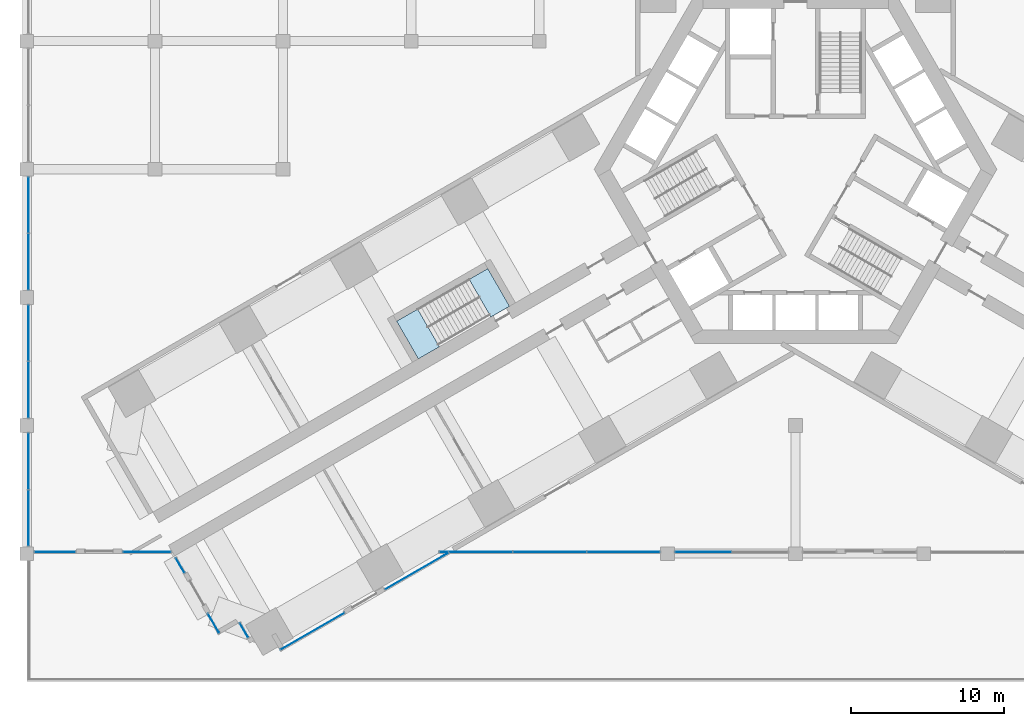
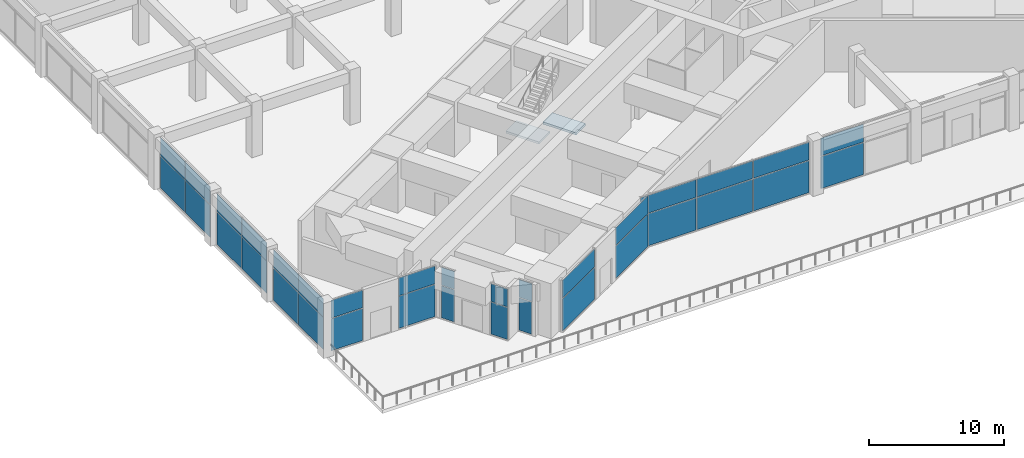
# One storey, part 22 of 34: 34 plates, 2 slabs, 13 elements without a shape of their own.
"""IFC4 building model written with IfcOpenShell, lengths in metres."""

from ifc_helpers import new_model, si_unit, direction, frame, origin, origin_2d, place, context, subcontext, project, spatial, polyline, rectangle, outline, extrude, material, layer, layer_set, type_object, element, aggregate, save


model = new_model("IFC4")

# Units and contexts
model_context = context("Model", 3, precision=1e-05, world=origin(), true_north=direction((0.0, 1.0)))
body_context = subcontext(model_context, "Body", "Model", "MODEL_VIEW")
ifc_project = project(units=[si_unit("LENGTHUNIT", "METRE"), si_unit("AREAUNIT", "SQUARE_METRE"), si_unit("VOLUMEUNIT", "CUBIC_METRE"), si_unit("PLANEANGLEUNIT", "RADIAN"), si_unit("MASSUNIT", "GRAM", prefix="KILO")], contexts=[model_context])

# Site, building, storey
site_placement = place(None, origin())
site = spatial("IfcSite", under=ifc_project, at=site_placement, CompositionType="ELEMENT")
building_placement = place(site_placement, origin())
building = spatial("IfcBuilding", under=site, at=building_placement, Name="Impinga Residences", CompositionType="ELEMENT")
storey_placement = place(building_placement, frame((0.0, 0.0, 11.0)))
storey = spatial("IfcBuildingStorey", under=building, at=storey_placement, Name="L02", CompositionType="ELEMENT", Elevation=11.0)

# Curtain wall, plates
ifc_material_1 = material(Name="Aluminium stick curtain wall", Category="aluminium")
curtain_wall_type = type_object("IfcCurtainWallType", Name="CW1 podium amenity curtain wall", PredefinedType="USERDEFINED", material=ifc_material_1)
curtain_wall_1_placement = place(storey_placement, origin())
curtain_wall_1 = element("IfcCurtainWall", 1, at=curtain_wall_1_placement, inside=storey, type_object=curtain_wall_type, Name="Curtain wall CW1 L02", ObjectType="STICK CURTAIN WALL", PredefinedType="USERDEFINED")
ifc_material_2 = material(Name="Clear double glazing", Category="glass")
ifc_layer_1 = layer(ifc_material_2, 0.028076171875)
ifc_layer_set_1 = layer_set([ifc_layer_1], Name="CW1-P clear double glazed panel 28")
plate_type = type_object("IfcPlateType", Name="CW1-P clear double glazed panel 28", PredefinedType="CURTAIN_PANEL", material=ifc_layer_set_1)
plate_1_placement = place(storey_placement, frame((-36.160888671875, -30.23046875, 0.06005859375), z_axis=(0.0, 0.0, 1.0), x_axis=(-0.499999813995, 0.866025511175, 0.0)))
plate_1 = element("IfcPlate", 2, at=plate_1_placement, type_object=plate_type, Name="CW1 panel 1.1", PredefinedType="CURTAIN_PANEL", context=body_context, shape_type="SweptSolid", body=[
    extrude(rectangle(XDim=1.080078125, YDim=0.028076171875, at=origin_2d()), origin(), (0.0, 0.0, 1.0), 2.909912109375),
])
plate_2_placement = place(storey_placement, frame((-36.160888671875, -30.23046875, 3.02978515625), z_axis=(0.0, 0.0, 1.0), x_axis=(-0.499999813995, 0.866025511175, 0.0)))
plate_2 = element("IfcPlate", 3, at=plate_2_placement, type_object=plate_type, Name="CW1 panel 1.2", PredefinedType="CURTAIN_PANEL", context=body_context, shape_type="SweptSolid", body=[
    extrude(rectangle(XDim=1.080078125, YDim=0.028076171875, at=origin_2d()), origin(), (0.0, 0.0, 1.0), 1.610107421875),
])
aggregate(curtain_wall_1, [plate_1, plate_2])

curtain_wall_2_placement = place(storey_placement, origin())
curtain_wall_2 = element("IfcCurtainWall", 4, at=curtain_wall_2_placement, inside=storey, type_object=curtain_wall_type, Name="Curtain wall CW1 L02", ObjectType="STICK CURTAIN WALL", PredefinedType="USERDEFINED")
plate_3_placement = place(storey_placement, frame((-38.151611328125, -29.78271484375, 0.06005859375), z_axis=(0.0, 0.0, 1.0), x_axis=(-0.499999723955, 0.866025563159, 0.0)))
plate_3 = element("IfcPlate", 5, at=plate_3_placement, type_object=plate_type, Name="CW1 panel 1.1", PredefinedType="CURTAIN_PANEL", context=body_context, shape_type="SweptSolid", body=[
    extrude(rectangle(XDim=1.4462890625, YDim=0.028076171875, at=origin_2d()), origin(), (0.0, 0.0, 1.0), 2.909912109375),
])
plate_4_placement = place(storey_placement, frame((-38.151611328125, -29.78271484375, 3.02978515625), z_axis=(0.0, 0.0, 1.0), x_axis=(-0.499999723955, 0.866025563159, 0.0)))
plate_4 = element("IfcPlate", 6, at=plate_4_placement, type_object=plate_type, Name="CW1 panel 1.2", PredefinedType="CURTAIN_PANEL", context=body_context, shape_type="SweptSolid", body=[
    extrude(rectangle(XDim=1.4462890625, YDim=0.028076171875, at=origin_2d()), origin(), (0.0, 0.0, 1.0), 1.610107421875),
])
aggregate(curtain_wall_2, [plate_3, plate_4])

curtain_wall_3_placement = place(storey_placement, origin())
curtain_wall_3 = element("IfcCurtainWall", 7, at=curtain_wall_3_placement, inside=storey, type_object=curtain_wall_type, Name="Curtain wall CW1 L02", ObjectType="STICK CURTAIN WALL", PredefinedType="USERDEFINED")
plate_5_placement = place(storey_placement, frame((-40.34814453125, -25.978271484375, 0.06005859375), z_axis=(0.0, 0.0, 1.0), x_axis=(-0.500000310039, 0.866025224783, 0.0)))
plate_5 = element("IfcPlate", 8, at=plate_5_placement, type_object=plate_type, Name="CW1 panel 1.1", PredefinedType="CURTAIN_PANEL", context=body_context, shape_type="SweptSolid", body=[
    extrude(rectangle(XDim=1.099853515625, YDim=0.028076171875, at=origin_2d()), origin(), (0.0, 0.0, 1.0), 2.909912109375),
])
plate_6_placement = place(storey_placement, frame((-40.34814453125, -25.978271484375, 3.02978515625), z_axis=(0.0, 0.0, 1.0), x_axis=(-0.500000310039, 0.866025224783, 0.0)))
plate_6 = element("IfcPlate", 9, at=plate_6_placement, type_object=plate_type, Name="CW1 panel 1.2", PredefinedType="CURTAIN_PANEL", context=body_context, shape_type="SweptSolid", body=[
    extrude(rectangle(XDim=1.099853515625, YDim=0.028076171875, at=origin_2d()), origin(), (0.0, 0.0, 1.0), 1.610107421875),
])
aggregate(curtain_wall_3, [plate_5, plate_6])

curtain_wall_4_placement = place(storey_placement, origin())
curtain_wall_4 = element("IfcCurtainWall", 10, at=curtain_wall_4_placement, inside=storey, type_object=curtain_wall_type, Name="Curtain wall CW1 L02", ObjectType="STICK CURTAIN WALL", PredefinedType="USERDEFINED")
plate_7_placement = place(storey_placement, frame((-42.53466796875, -25.10009765625, 0.06005859375), z_axis=(0.0, 0.0, 1.0), x_axis=(-1.0, 0.0, 0.0)))
plate_7 = element("IfcPlate", 11, at=plate_7_placement, type_object=plate_type, Name="CW1 panel 1.1", PredefinedType="CURTAIN_PANEL", context=body_context, shape_type="SweptSolid", body=[
    extrude(rectangle(XDim=3.12353515625, YDim=0.028076171875, at=origin_2d()), origin(), (0.0, 0.0, 1.0), 2.909912109375),
])
plate_8_placement = place(storey_placement, frame((-42.53466796875, -25.10009765625, 3.02978515625), z_axis=(0.0, 0.0, 1.0), x_axis=(-1.0, 0.0, 0.0)))
plate_8 = element("IfcPlate", 12, at=plate_8_placement, type_object=plate_type, Name="CW1 panel 1.2", PredefinedType="CURTAIN_PANEL", context=body_context, shape_type="SweptSolid", body=[
    extrude(rectangle(XDim=3.12353515625, YDim=0.028076171875, at=origin_2d()), origin(), (0.0, 0.0, 1.0), 1.610107421875),
])
aggregate(curtain_wall_4, [plate_7, plate_8])

curtain_wall_5_placement = place(storey_placement, origin())
curtain_wall_5 = element("IfcCurtainWall", 13, at=curtain_wall_5_placement, inside=storey, type_object=curtain_wall_type, Name="Curtain wall CW1 L02", ObjectType="STICK CURTAIN WALL", PredefinedType="USERDEFINED")
plate_9_placement = place(storey_placement, frame((-48.5517578125, -25.10009765625, 0.06005859375), z_axis=(0.0, 0.0, 1.0), x_axis=(-1.0, 0.0, 0.0)))
plate_9 = element("IfcPlate", 14, at=plate_9_placement, type_object=plate_type, Name="CW1 panel 1.1", PredefinedType="CURTAIN_PANEL", context=body_context, shape_type="SweptSolid", body=[
    extrude(rectangle(XDim=2.670654296875, YDim=0.028076171875, at=origin_2d()), origin(), (0.0, 0.0, 1.0), 2.909912109375),
])
plate_10_placement = place(storey_placement, frame((-48.5517578125, -25.10009765625, 3.02978515625), z_axis=(0.0, 0.0, 1.0), x_axis=(-1.0, 0.0, 0.0)))
plate_10 = element("IfcPlate", 15, at=plate_10_placement, type_object=plate_type, Name="CW1 panel 1.2", PredefinedType="CURTAIN_PANEL", context=body_context, shape_type="SweptSolid", body=[
    extrude(rectangle(XDim=2.670654296875, YDim=0.028076171875, at=origin_2d()), origin(), (0.0, 0.0, 1.0), 1.610107421875),
])
aggregate(curtain_wall_5, [plate_9, plate_10])

curtain_wall_6_placement = place(storey_placement, origin())
curtain_wall_6 = element("IfcCurtainWall", 16, at=curtain_wall_6_placement, inside=storey, type_object=curtain_wall_type, Name="Curtain wall CW1 L02", ObjectType="STICK CURTAIN WALL", PredefinedType="USERDEFINED")
plate_11_placement = place(storey_placement, frame((-50.300048828125, -22.8583984375, 0.06005859375), z_axis=(0.0, 0.0, 1.0), x_axis=(0.0, 1.0, 0.0)))
plate_11 = element("IfcPlate", 17, at=plate_11_placement, type_object=plate_type, Name="CW1 panel 1.1", PredefinedType="CURTAIN_PANEL", context=body_context, shape_type="SweptSolid", body=[
    extrude(rectangle(XDim=3.656982421875, YDim=0.028076171875, at=origin_2d()), origin(), (0.0, 0.0, 1.0), 2.909912109375),
])
plate_12_placement = place(storey_placement, frame((-50.300048828125, -22.8583984375, 3.02978515625), z_axis=(0.0, 0.0, 1.0), x_axis=(0.0, 1.0, 0.0)))
plate_12 = element("IfcPlate", 18, at=plate_12_placement, type_object=plate_type, Name="CW1 panel 1.2", PredefinedType="CURTAIN_PANEL", context=body_context, shape_type="SweptSolid", body=[
    extrude(rectangle(XDim=3.656982421875, YDim=0.028076171875, at=origin_2d()), origin(), (0.0, 0.0, 1.0), 1.610107421875),
])
plate_13_placement = place(storey_placement, frame((-50.300048828125, -19.1416015625, 0.06005859375), z_axis=(0.0, 0.0, 1.0), x_axis=(0.0, 1.0, 0.0)))
plate_13 = element("IfcPlate", 19, at=plate_13_placement, type_object=plate_type, Name="CW1 panel 2.1", PredefinedType="CURTAIN_PANEL", context=body_context, shape_type="SweptSolid", body=[
    extrude(rectangle(XDim=3.656982421875, YDim=0.028076171875, at=origin_2d()), origin(), (0.0, 0.0, 1.0), 2.909912109375),
])
plate_14_placement = place(storey_placement, frame((-50.300048828125, -19.1416015625, 3.02978515625), z_axis=(0.0, 0.0, 1.0), x_axis=(0.0, 1.0, 0.0)))
plate_14 = element("IfcPlate", 20, at=plate_14_placement, type_object=plate_type, Name="CW1 panel 2.2", PredefinedType="CURTAIN_PANEL", context=body_context, shape_type="SweptSolid", body=[
    extrude(rectangle(XDim=3.656982421875, YDim=0.028076171875, at=origin_2d()), origin(), (0.0, 0.0, 1.0), 1.610107421875),
])
aggregate(curtain_wall_6, [plate_11, plate_12, plate_13, plate_14])

curtain_wall_7_placement = place(storey_placement, origin())
curtain_wall_7 = element("IfcCurtainWall", 21, at=curtain_wall_7_placement, inside=storey, type_object=curtain_wall_type, Name="Curtain wall CW1 L02", ObjectType="STICK CURTAIN WALL", PredefinedType="USERDEFINED")
plate_15_placement = place(storey_placement, frame((-50.300048828125, -14.45849609375, 0.06005859375), z_axis=(0.0, 0.0, 1.0), x_axis=(0.0, 1.0, 0.0)))
plate_15 = element("IfcPlate", 22, at=plate_15_placement, type_object=plate_type, Name="CW1 panel 1.1", PredefinedType="CURTAIN_PANEL", context=body_context, shape_type="SweptSolid", body=[
    extrude(rectangle(XDim=3.656982421875, YDim=0.028076171875, at=origin_2d()), origin(), (0.0, 0.0, 1.0), 2.909912109375),
])
plate_16_placement = place(storey_placement, frame((-50.300048828125, -14.45849609375, 3.02978515625), z_axis=(0.0, 0.0, 1.0), x_axis=(0.0, 1.0, 0.0)))
plate_16 = element("IfcPlate", 23, at=plate_16_placement, type_object=plate_type, Name="CW1 panel 1.2", PredefinedType="CURTAIN_PANEL", context=body_context, shape_type="SweptSolid", body=[
    extrude(rectangle(XDim=3.656982421875, YDim=0.028076171875, at=origin_2d()), origin(), (0.0, 0.0, 1.0), 1.610107421875),
])
plate_17_placement = place(storey_placement, frame((-50.300048828125, -10.741455078125, 0.06005859375), z_axis=(0.0, 0.0, 1.0), x_axis=(0.0, 1.0, 0.0)))
plate_17 = element("IfcPlate", 24, at=plate_17_placement, type_object=plate_type, Name="CW1 panel 2.1", PredefinedType="CURTAIN_PANEL", context=body_context, shape_type="SweptSolid", body=[
    extrude(rectangle(XDim=3.656982421875, YDim=0.028076171875, at=origin_2d()), origin(), (0.0, 0.0, 1.0), 2.909912109375),
])
plate_18_placement = place(storey_placement, frame((-50.300048828125, -10.741455078125, 3.02978515625), z_axis=(0.0, 0.0, 1.0), x_axis=(0.0, 1.0, 0.0)))
plate_18 = element("IfcPlate", 25, at=plate_18_placement, type_object=plate_type, Name="CW1 panel 2.2", PredefinedType="CURTAIN_PANEL", context=body_context, shape_type="SweptSolid", body=[
    extrude(rectangle(XDim=3.656982421875, YDim=0.028076171875, at=origin_2d()), origin(), (0.0, 0.0, 1.0), 1.610107421875),
])
aggregate(curtain_wall_7, [plate_15, plate_16, plate_17, plate_18])

curtain_wall_8_placement = place(storey_placement, origin())
curtain_wall_8 = element("IfcCurtainWall", 26, at=curtain_wall_8_placement, inside=storey, type_object=curtain_wall_type, Name="Curtain wall CW1 L02", ObjectType="STICK CURTAIN WALL", PredefinedType="USERDEFINED")
plate_19_placement = place(storey_placement, frame((-50.300048828125, -6.05859375, 0.06005859375), z_axis=(0.0, 0.0, 1.0), x_axis=(0.0, 1.0, 0.0)))
plate_19 = element("IfcPlate", 27, at=plate_19_placement, type_object=plate_type, Name="CW1 panel 1.1", PredefinedType="CURTAIN_PANEL", context=body_context, shape_type="SweptSolid", body=[
    extrude(rectangle(XDim=3.656982421875, YDim=0.028076171875, at=origin_2d()), origin(), (0.0, 0.0, 1.0), 2.909912109375),
])
plate_20_placement = place(storey_placement, frame((-50.300048828125, -6.05859375, 3.02978515625), z_axis=(0.0, 0.0, 1.0), x_axis=(0.0, 1.0, 0.0)))
plate_20 = element("IfcPlate", 28, at=plate_20_placement, type_object=plate_type, Name="CW1 panel 1.2", PredefinedType="CURTAIN_PANEL", context=body_context, shape_type="SweptSolid", body=[
    extrude(rectangle(XDim=3.656982421875, YDim=0.028076171875, at=origin_2d()), origin(), (0.0, 0.0, 1.0), 1.610107421875),
])
plate_21_placement = place(storey_placement, frame((-50.300048828125, -2.341552734375, 0.06005859375), z_axis=(0.0, 0.0, 1.0), x_axis=(0.0, 1.0, 0.0)))
plate_21 = element("IfcPlate", 29, at=plate_21_placement, type_object=plate_type, Name="CW1 panel 2.1", PredefinedType="CURTAIN_PANEL", context=body_context, shape_type="SweptSolid", body=[
    extrude(rectangle(XDim=3.656982421875, YDim=0.028076171875, at=origin_2d()), origin(), (0.0, 0.0, 1.0), 2.909912109375),
])
plate_22_placement = place(storey_placement, frame((-50.300048828125, -2.341552734375, 3.02978515625), z_axis=(0.0, 0.0, 1.0), x_axis=(0.0, 1.0, 0.0)))
plate_22 = element("IfcPlate", 30, at=plate_22_placement, type_object=plate_type, Name="CW1 panel 2.2", PredefinedType="CURTAIN_PANEL", context=body_context, shape_type="SweptSolid", body=[
    extrude(rectangle(XDim=3.656982421875, YDim=0.028076171875, at=origin_2d()), origin(), (0.0, 0.0, 1.0), 1.610107421875),
])
aggregate(curtain_wall_8, [plate_19, plate_20, plate_21, plate_22])

curtain_wall_9_placement = place(storey_placement, origin())
curtain_wall_9 = element("IfcCurtainWall", 31, at=curtain_wall_9_placement, inside=storey, type_object=curtain_wall_type, Name="Curtain wall CW1 L02", ObjectType="STICK CURTAIN WALL", PredefinedType="USERDEFINED")
plate_23_placement = place(storey_placement, frame((-6.05859375, -25.10009765625, 0.06005859375), z_axis=(0.0, 0.0, 1.0), x_axis=(-1.0, 0.0, 0.0)))
plate_23 = element("IfcPlate", 32, at=plate_23_placement, type_object=plate_type, Name="CW1 panel 2.1", PredefinedType="CURTAIN_PANEL", context=body_context, shape_type="SweptSolid", body=[
    extrude(rectangle(XDim=3.656982421875, YDim=0.028076171875, at=origin_2d()), origin(), (0.0, 0.0, 1.0), 2.909912109375),
])
plate_24_placement = place(storey_placement, frame((-6.05859375, -25.10009765625, 3.02978515625), z_axis=(0.0, 0.0, 1.0), x_axis=(-1.0, 0.0, 0.0)))
plate_24 = element("IfcPlate", 33, at=plate_24_placement, type_object=plate_type, Name="CW1 panel 2.2", PredefinedType="CURTAIN_PANEL", context=body_context, shape_type="SweptSolid", body=[
    extrude(rectangle(XDim=3.656982421875, YDim=0.028076171875, at=origin_2d()), origin(), (0.0, 0.0, 1.0), 1.610107421875),
])
aggregate(curtain_wall_9, [plate_23, plate_24])

curtain_wall_10_placement = place(storey_placement, origin())
curtain_wall_10 = element("IfcCurtainWall", 34, at=curtain_wall_10_placement, inside=storey, type_object=curtain_wall_type, Name="Curtain wall CW1 L02", ObjectType="STICK CURTAIN WALL", PredefinedType="USERDEFINED")
plate_25_placement = place(storey_placement, frame((-11.29150390625, -25.10009765625, 0.06005859375), z_axis=(0.0, 0.0, 1.0), x_axis=(-1.0, 0.0, 0.0)))
plate_25 = element("IfcPlate", 35, at=plate_25_placement, type_object=plate_type, Name="CW1 panel 1.1", PredefinedType="CURTAIN_PANEL", context=body_context, shape_type="SweptSolid", body=[
    extrude(rectangle(XDim=4.757080078125, YDim=0.028076171875, at=origin_2d()), origin(), (0.0, 0.0, 1.0), 2.909912109375),
])
plate_26_placement = place(storey_placement, frame((-11.29150390625, -25.10009765625, 3.02978515625), z_axis=(0.0, 0.0, 1.0), x_axis=(-1.0, 0.0, 0.0)))
plate_26 = element("IfcPlate", 36, at=plate_26_placement, type_object=plate_type, Name="CW1 panel 1.2", PredefinedType="CURTAIN_PANEL", context=body_context, shape_type="SweptSolid", body=[
    extrude(rectangle(XDim=4.757080078125, YDim=0.028076171875, at=origin_2d()), origin(), (0.0, 0.0, 1.0), 1.610107421875),
])
plate_27_placement = place(storey_placement, frame((-16.12353515625, -25.10009765625, 0.06005859375), z_axis=(0.0, 0.0, 1.0), x_axis=(-1.0, 0.0, 0.0)))
plate_27 = element("IfcPlate", 37, at=plate_27_placement, type_object=plate_type, Name="CW1 panel 2.1", PredefinedType="CURTAIN_PANEL", context=body_context, shape_type="SweptSolid", body=[
    extrude(rectangle(XDim=4.787109375, YDim=0.028076171875, at=origin_2d()), origin(), (0.0, 0.0, 1.0), 2.909912109375),
])
plate_28_placement = place(storey_placement, frame((-16.12353515625, -25.10009765625, 3.02978515625), z_axis=(0.0, 0.0, 1.0), x_axis=(-1.0, 0.0, 0.0)))
plate_28 = element("IfcPlate", 38, at=plate_28_placement, type_object=plate_type, Name="CW1 panel 2.2", PredefinedType="CURTAIN_PANEL", context=body_context, shape_type="SweptSolid", body=[
    extrude(rectangle(XDim=4.787109375, YDim=0.028076171875, at=origin_2d()), origin(), (0.0, 0.0, 1.0), 1.610107421875),
])
plate_29_placement = place(storey_placement, frame((-20.95556640625, -25.10009765625, 0.06005859375), z_axis=(0.0, 0.0, 1.0), x_axis=(-1.0, 0.0, 0.0)))
plate_29 = element("IfcPlate", 39, at=plate_29_placement, type_object=plate_type, Name="CW1 panel 3.1", PredefinedType="CURTAIN_PANEL", context=body_context, shape_type="SweptSolid", body=[
    extrude(rectangle(XDim=4.757080078125, YDim=0.028076171875, at=origin_2d()), origin(), (0.0, 0.0, 1.0), 2.909912109375),
])
plate_30_placement = place(storey_placement, frame((-20.95556640625, -25.10009765625, 3.02978515625), z_axis=(0.0, 0.0, 1.0), x_axis=(-1.0, 0.0, 0.0)))
plate_30 = element("IfcPlate", 40, at=plate_30_placement, type_object=plate_type, Name="CW1 panel 3.2", PredefinedType="CURTAIN_PANEL", context=body_context, shape_type="SweptSolid", body=[
    extrude(rectangle(XDim=4.757080078125, YDim=0.028076171875, at=origin_2d()), origin(), (0.0, 0.0, 1.0), 1.610107421875),
])
aggregate(curtain_wall_10, [plate_25, plate_26, plate_27, plate_28, plate_29, plate_30])

curtain_wall_11_placement = place(storey_placement, origin())
curtain_wall_11 = element("IfcCurtainWall", 41, at=curtain_wall_11_placement, inside=storey, type_object=curtain_wall_type, Name="Curtain wall CW1 L02", ObjectType="STICK CURTAIN WALL", PredefinedType="USERDEFINED")
plate_31_placement = place(storey_placement, frame((-24.8232421875, -26.340576171875, 0.06005859375), z_axis=(0.0, 0.0, 1.0), x_axis=(-0.866025358764, -0.500000077978, 0.0)))
plate_31 = element("IfcPlate", 42, at=plate_31_placement, type_object=plate_type, Name="CW1 panel 1.1", PredefinedType="CURTAIN_PANEL", context=body_context, shape_type="SweptSolid", body=[
    extrude(rectangle(XDim=4.7890625, YDim=0.028076171875, at=origin_2d()), origin(), (0.0, 0.0, 1.0), 2.909912109375),
])
plate_32_placement = place(storey_placement, frame((-24.8232421875, -26.340576171875, 3.02978515625), z_axis=(0.0, 0.0, 1.0), x_axis=(-0.866025358764, -0.500000077978, 0.0)))
plate_32 = element("IfcPlate", 43, at=plate_32_placement, type_object=plate_type, Name="CW1 panel 1.2", PredefinedType="CURTAIN_PANEL", context=body_context, shape_type="SweptSolid", body=[
    extrude(rectangle(XDim=4.7890625, YDim=0.028076171875, at=origin_2d()), origin(), (0.0, 0.0, 1.0), 1.610107421875),
])
aggregate(curtain_wall_11, [plate_31, plate_32])

curtain_wall_12_placement = place(storey_placement, origin())
curtain_wall_12 = element("IfcCurtainWall", 44, at=curtain_wall_12_placement, inside=storey, type_object=curtain_wall_type, Name="Curtain wall CW1 L02", ObjectType="STICK CURTAIN WALL", PredefinedType="USERDEFINED")
plate_33_placement = place(storey_placement, frame((-31.6728515625, -30.295166015625, 0.06005859375), z_axis=(0.0, 0.0, 1.0), x_axis=(-0.866025446964, -0.499999925211, 0.0)))
plate_33 = element("IfcPlate", 45, at=plate_33_placement, type_object=plate_type, Name="CW1 panel 1.1", PredefinedType="CURTAIN_PANEL", context=body_context, shape_type="SweptSolid", body=[
    extrude(rectangle(XDim=4.7890625, YDim=0.028076171875, at=origin_2d()), origin(), (0.0, 0.0, 1.0), 2.909912109375),
])
plate_34_placement = place(storey_placement, frame((-31.6728515625, -30.295166015625, 3.02978515625), z_axis=(0.0, 0.0, 1.0), x_axis=(-0.866025446964, -0.499999925211, 0.0)))
plate_34 = element("IfcPlate", 46, at=plate_34_placement, type_object=plate_type, Name="CW1 panel 1.2", PredefinedType="CURTAIN_PANEL", context=body_context, shape_type="SweptSolid", body=[
    extrude(rectangle(XDim=4.7890625, YDim=0.028076171875, at=origin_2d()), origin(), (0.0, 0.0, 1.0), 1.610107421875),
])
aggregate(curtain_wall_12, [plate_33, plate_34])

# Stair, slabs
ifc_material_3 = material(Name="Concrete C40/50", Category="concrete")
stair_type = type_object("IfcStairType", Name="STR wing stair 5000 storey, 30 risers", PredefinedType="HALF_TURN_STAIR", material=ifc_material_3)
stair_placement = place(storey_placement, origin())
stair = element("IfcStair", 47, at=stair_placement, inside=storey, type_object=stair_type, Name="Stair WS2 L02", PredefinedType="HALF_TURN_STAIR")
ifc_layer_2 = layer(ifc_material_3, 0.199951171875)
ifc_layer_set_2 = layer_set([ifc_layer_2], Name="Concrete C40/50")
slab_type = type_object("IfcSlabType", Name="LS1 stair landing 200", PredefinedType="LANDING", material=ifc_layer_set_2)
slab_1_placement = place(storey_placement, frame((0.0, 0.0, -0.199951171875)))
slab_1 = element("IfcSlab", 48, at=slab_1_placement, type_object=slab_type, Name="WS2 landing 1", PredefinedType="LANDING", context=body_context, shape_type="SweptSolid", body=[
    extrude(outline(polyline([(-18.754150390625, -8.980224609375), (-20.178955078125, -6.511962890625), (-21.400146484375, -7.217041015625), (-19.97509765625, -9.68505859375), (-18.754150390625, -8.980224609375)])), origin(), (0.0, 0.0, 1.0), 0.199951171875),
])
slab_2_placement = place(storey_placement, frame((0.0, 0.0, 2.300048828125)))
slab_2 = element("IfcSlab", 49, at=slab_2_placement, type_object=slab_type, Name="WS2 landing 2", PredefinedType="LANDING", context=body_context, shape_type="SweptSolid", body=[
    extrude(outline(polyline([(-23.3525390625, -11.635009765625), (-24.777587890625, -9.1669921875), (-26.154541015625, -9.9619140625), (-24.7294921875, -12.43017578125), (-23.3525390625, -11.635009765625)])), origin(), (0.0, 0.0, 1.0), 0.199951171875),
])
aggregate(stair, [slab_1, slab_2])

save(model, "model.ifc")
